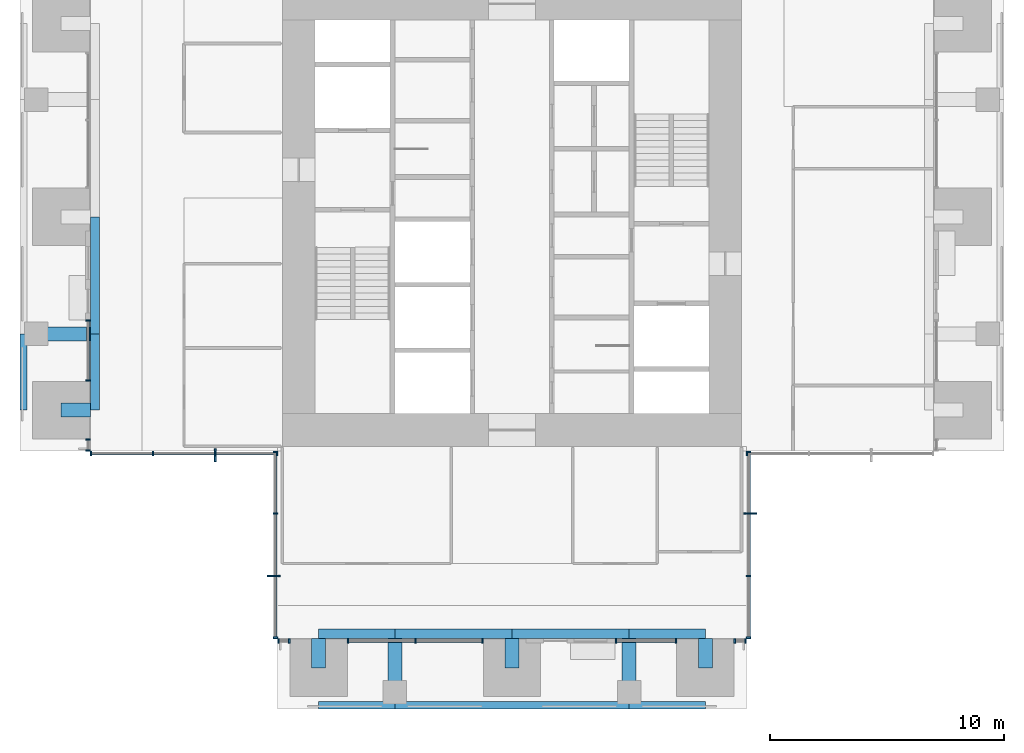
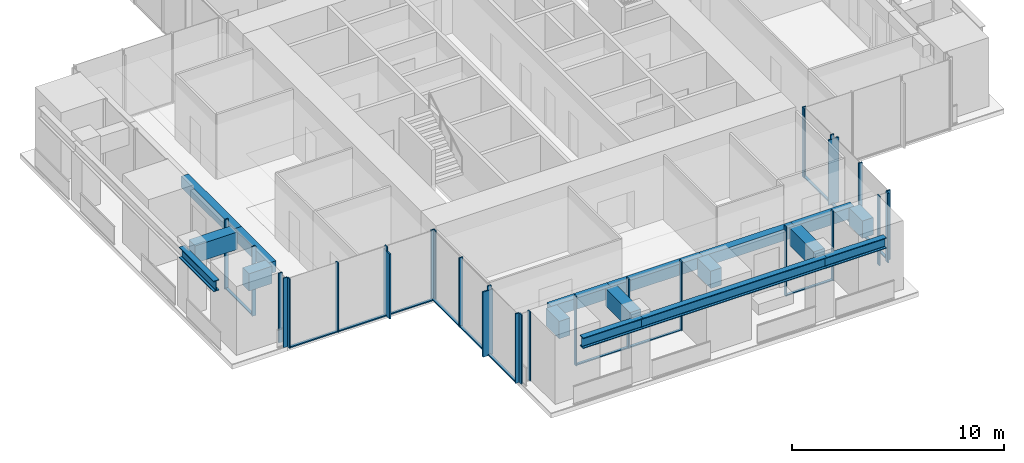
# One storey, part 2 of 17: 42 members, 17 beams, 10 elements without a shape of their own.
"""IFC4 building model written with IfcOpenShell, lengths in metres."""

from ifc_helpers import new_model, si_unit, direction, frame, origin, origin_2d, place, context, subcontext, project, spatial, rectangle, i_section, extrude, material, material_profile, profile_set, type_object, element, aggregate, save


model = new_model("IFC4")

# Units and contexts
model_context = context("Model", 3, precision=1e-05, world=origin(), true_north=direction((0.0, 1.0)))
body_context = subcontext(model_context, "Body", "Model", "MODEL_VIEW")
ifc_project = project(units=[si_unit("LENGTHUNIT", "METRE"), si_unit("AREAUNIT", "SQUARE_METRE"), si_unit("VOLUMEUNIT", "CUBIC_METRE"), si_unit("PLANEANGLEUNIT", "RADIAN"), si_unit("MASSUNIT", "GRAM", prefix="KILO")], contexts=[model_context])

# Site, building, storey
site_placement = place(None, origin())
site = spatial("IfcSite", under=ifc_project, at=site_placement, CompositionType="ELEMENT")
building_placement = place(site_placement, origin())
building = spatial("IfcBuilding", under=site, at=building_placement, Name="Svetlomir Tower", CompositionType="ELEMENT")
storey_placement = place(building_placement, frame((0.0, 0.0, 186.5)))
storey = spatial("IfcBuildingStorey", under=building, at=storey_placement, Name="L44", CompositionType="ELEMENT", Elevation=186.5)

# Curtain wall, member
ifc_material_1 = material(Name="Bronze anodised aluminium curtain wall", Category="aluminium")
curtain_wall_type = type_object("IfcCurtainWallType", Name="CURTAIN WALL CW1 TOWER OFFICE", PredefinedType="NOTDEFINED", material=ifc_material_1)
curtain_wall_1_placement = place(storey_placement, origin())
curtain_wall_1 = element("IfcCurtainWall", 1, at=curtain_wall_1_placement, inside=storey, type_object=curtain_wall_type, Name="Curtain wall CW1 L44", PredefinedType="NOTDEFINED")
ifc_material_2 = material(Name="Bronze anodised aluminium", Category="aluminium")
ifc_material_profile_1 = material_profile(ifc_material_2, rectangle(XDim=0.080078125, YDim=0.550048828125, at=origin_2d()), Name="FIN 80x550")
ifc_profile_set_1 = profile_set([ifc_material_profile_1], Name="Bronze anodised aluminium 6063-T6")
member_type_1 = type_object("IfcMemberType", Name="BRONZE FIN 80x550", PredefinedType="USERDEFINED", material=ifc_profile_set_1)
member_1_placement = place(storey_placement, frame((31.175048828125, 8.333251953125, 0.0), z_axis=(0.0, 0.0, 1.0), x_axis=(0.0, 1.0, 0.0)))
member_1 = element("IfcMember", 2, at=member_1_placement, type_object=member_type_1, Name="Bronze fin L44", ObjectType="FIN", PredefinedType="USERDEFINED", context=body_context, shape_type="SweptSolid", body=[
    extrude(rectangle(XDim=0.080078125, YDim=0.550048828125, at=origin_2d()), origin(), (0.0, 0.0, 1.0), 3.75),
])

curtain_wall_2_placement = place(storey_placement, origin())
curtain_wall_2 = element("IfcCurtainWall", 3, at=curtain_wall_2_placement, inside=storey, type_object=curtain_wall_type, Name="Curtain wall CW1 L44", PredefinedType="NOTDEFINED")
member_2_placement = place(storey_placement, frame((8.333251953125, 10.824951171875, 0.0), z_axis=(0.0, 0.0, 1.0), x_axis=(1.0, 0.0, 0.0)))
member_2 = element("IfcMember", 4, at=member_2_placement, type_object=member_type_1, Name="Bronze fin L44", ObjectType="FIN", PredefinedType="USERDEFINED", context=body_context, shape_type="SweptSolid", body=[
    extrude(rectangle(XDim=0.080078125, YDim=0.550048828125, at=origin_2d()), origin(), (0.0, 0.0, 1.0), 3.75),
])

curtain_wall_3_placement = place(storey_placement, origin())
curtain_wall_3 = element("IfcCurtainWall", 5, at=curtain_wall_3_placement, inside=storey, type_object=curtain_wall_type, Name="Curtain wall CW1 L44", PredefinedType="NOTDEFINED")
member_3_placement = place(storey_placement, frame((10.824951171875, 5.666748046875, 0.0), z_axis=(0.0, 0.0, 1.0), x_axis=(0.0, 1.0, 0.0)))
member_3 = element("IfcMember", 6, at=member_3_placement, type_object=member_type_1, Name="Bronze fin L44", ObjectType="FIN", PredefinedType="USERDEFINED", context=body_context, shape_type="SweptSolid", body=[
    extrude(rectangle(XDim=0.080078125, YDim=0.550048828125, at=origin_2d()), origin(), (0.0, 0.0, 1.0), 3.75),
])

# Curtain wall, members
curtain_wall_4_placement = place(storey_placement, origin())
curtain_wall_4 = element("IfcCurtainWall", 7, at=curtain_wall_4_placement, inside=storey, type_object=curtain_wall_type, Name="Curtain wall CW1 L44", PredefinedType="NOTDEFINED")
ifc_material_3 = material(Name="Bronze anodised aluminium", Category="aluminium")
ifc_material_profile_2 = material_profile(ifc_material_3, rectangle(XDim=0.06494140625, YDim=0.199951171875, at=origin_2d()), Name="AL 65x200")
ifc_profile_set_2 = profile_set([ifc_material_profile_2], Name="Bronze anodised aluminium 6063-T6")
member_type_2 = type_object("IfcMemberType", Name="CW1 MULLION 65x200", PredefinedType="MULLION", material=ifc_profile_set_2)
member_4_placement = place(storey_placement, frame((11.032470703125, 2.89990234375, 0.0), z_axis=(0.0, 0.0, 1.0), x_axis=(1.0, 0.0, 0.0)))
member_4 = element("IfcMember", 8, at=member_4_placement, type_object=member_type_2, Name="CW1 mullion 1", PredefinedType="MULLION", context=body_context, shape_type="SweptSolid", body=[
    extrude(rectangle(XDim=0.06494140625, YDim=0.199951171875, at=origin_2d()), origin(), (0.0, 0.0, 1.0), 4.0),
])
member_5_placement = place(storey_placement, frame((11.492431640625, 2.89990234375, 0.0), z_axis=(0.0, 0.0, 1.0), x_axis=(1.0, 0.0, 0.0)))
member_5 = element("IfcMember", 9, at=member_5_placement, type_object=member_type_2, Name="CW1 mullion 2", PredefinedType="MULLION", context=body_context, shape_type="SweptSolid", body=[
    extrude(rectangle(XDim=0.06494140625, YDim=0.199951171875, at=origin_2d()), origin(), (0.0, 0.0, 1.0), 4.0),
])
aggregate(curtain_wall_4, [member_4, member_5])

curtain_wall_5_placement = place(storey_placement, origin())
curtain_wall_5 = element("IfcCurtainWall", 10, at=curtain_wall_5_placement, inside=storey, type_object=curtain_wall_type, Name="Curtain wall CW1 L44", PredefinedType="NOTDEFINED")
member_6_placement = place(storey_placement, frame((14.007568359375, 2.89990234375, 0.0), z_axis=(0.0, 0.0, 1.0), x_axis=(1.0, 0.0, 0.0)))
member_6 = element("IfcMember", 11, at=member_6_placement, type_object=member_type_2, Name="CW1 mullion 1", PredefinedType="MULLION", context=body_context, shape_type="SweptSolid", body=[
    extrude(rectangle(XDim=0.06494140625, YDim=0.199951171875, at=origin_2d()), origin(), (0.0, 0.0, 1.0), 4.0),
])
member_7_placement = place(storey_placement, frame((16.875, 2.89990234375, 0.0), z_axis=(0.0, 0.0, 1.0), x_axis=(1.0, 0.0, 0.0)))
member_7 = element("IfcMember", 12, at=member_7_placement, type_object=member_type_2, Name="CW1 mullion 2", PredefinedType="MULLION", context=body_context, shape_type="SweptSolid", body=[
    extrude(rectangle(XDim=0.06494140625, YDim=0.199951171875, at=origin_2d()), origin(), (0.0, 0.0, 1.0), 4.0),
])
member_8_placement = place(storey_placement, frame((19.742431640625, 2.89990234375, 0.0), z_axis=(0.0, 0.0, 1.0), x_axis=(1.0, 0.0, 0.0)))
member_8 = element("IfcMember", 13, at=member_8_placement, type_object=member_type_2, Name="CW1 mullion 3", PredefinedType="MULLION", context=body_context, shape_type="SweptSolid", body=[
    extrude(rectangle(XDim=0.06494140625, YDim=0.199951171875, at=origin_2d()), origin(), (0.0, 0.0, 1.0), 4.0),
])

curtain_wall_6_placement = place(storey_placement, origin())
curtain_wall_6 = element("IfcCurtainWall", 14, at=curtain_wall_6_placement, inside=storey, type_object=curtain_wall_type, Name="Curtain wall CW1 L44", PredefinedType="NOTDEFINED")
member_9_placement = place(storey_placement, frame((25.4326171875, 2.89990234375, 0.0), z_axis=(0.0, 0.0, 1.0), x_axis=(1.0, 0.0, 0.0)))
member_9 = element("IfcMember", 15, at=member_9_placement, type_object=member_type_2, Name="CW1 mullion 1", PredefinedType="MULLION", context=body_context, shape_type="SweptSolid", body=[
    extrude(rectangle(XDim=0.06494140625, YDim=0.199951171875, at=origin_2d()), origin(), (0.0, 0.0, 1.0), 4.0),
])
member_10_placement = place(storey_placement, frame((27.992431640625, 2.89990234375, 0.0), z_axis=(0.0, 0.0, 1.0), x_axis=(1.0, 0.0, 0.0)))
member_10 = element("IfcMember", 16, at=member_10_placement, type_object=member_type_2, Name="CW1 mullion 2", PredefinedType="MULLION", context=body_context, shape_type="SweptSolid", body=[
    extrude(rectangle(XDim=0.06494140625, YDim=0.199951171875, at=origin_2d()), origin(), (0.0, 0.0, 1.0), 4.0),
])

curtain_wall_7_placement = place(storey_placement, origin())
curtain_wall_7 = element("IfcCurtainWall", 17, at=curtain_wall_7_placement, inside=storey, type_object=curtain_wall_type, Name="Curtain wall CW1 L44", PredefinedType="NOTDEFINED")
member_11_placement = place(storey_placement, frame((30.507568359375, 2.89990234375, 0.0), z_axis=(0.0, 0.0, 1.0), x_axis=(1.0, 0.0, 0.0)))
member_11 = element("IfcMember", 18, at=member_11_placement, type_object=member_type_2, Name="CW1 mullion 1", PredefinedType="MULLION", context=body_context, shape_type="SweptSolid", body=[
    extrude(rectangle(XDim=0.06494140625, YDim=0.199951171875, at=origin_2d()), origin(), (0.0, 0.0, 1.0), 4.0),
])
member_12_placement = place(storey_placement, frame((30.967529296875, 2.89990234375, 0.0), z_axis=(0.0, 0.0, 1.0), x_axis=(1.0, 0.0, 0.0)))
member_12 = element("IfcMember", 19, at=member_12_placement, type_object=member_type_2, Name="CW1 mullion 2", PredefinedType="MULLION", context=body_context, shape_type="SweptSolid", body=[
    extrude(rectangle(XDim=0.06494140625, YDim=0.199951171875, at=origin_2d()), origin(), (0.0, 0.0, 1.0), 4.0),
])
aggregate(curtain_wall_7, [member_11, member_12])

# Member
member_13_placement = place(storey_placement, frame((31.10009765625, 3.032470703125, 0.0), z_axis=(0.0, 0.0, 1.0), x_axis=(0.0, 1.0, 0.0)))
member_13 = element("IfcMember", 20, at=member_13_placement, type_object=member_type_2, Name="CW1 mullion 1", PredefinedType="MULLION", context=body_context, shape_type="SweptSolid", body=[
    extrude(rectangle(XDim=0.06494140625, YDim=0.199951171875, at=origin_2d()), origin(), (0.0, 0.0, 1.0), 4.0),
])

member_14_placement = place(storey_placement, frame((31.10009765625, 5.666748046875, 0.0), z_axis=(0.0, 0.0, 1.0), x_axis=(0.0, 1.0, 0.0)))
member_14 = element("IfcMember", 21, at=member_14_placement, type_object=member_type_2, Name="CW1 mullion 2", PredefinedType="MULLION", context=body_context, shape_type="SweptSolid", body=[
    extrude(rectangle(XDim=0.06494140625, YDim=0.199951171875, at=origin_2d()), origin(), (0.0, 0.0, 1.0), 4.0),
])

member_15_placement = place(storey_placement, frame((31.10009765625, 8.333251953125, 0.0), z_axis=(0.0, 0.0, 1.0), x_axis=(0.0, 1.0, 0.0)))
member_15 = element("IfcMember", 22, at=member_15_placement, type_object=member_type_2, Name="CW1 mullion 3", PredefinedType="MULLION", context=body_context, shape_type="SweptSolid", body=[
    extrude(rectangle(XDim=0.06494140625, YDim=0.199951171875, at=origin_2d()), origin(), (0.0, 0.0, 1.0), 4.0),
])

member_16_placement = place(storey_placement, frame((31.10009765625, 10.967529296875, 0.0), z_axis=(0.0, 0.0, 1.0), x_axis=(0.0, 1.0, 0.0)))
member_16 = element("IfcMember", 23, at=member_16_placement, type_object=member_type_2, Name="CW1 mullion 4", PredefinedType="MULLION", context=body_context, shape_type="SweptSolid", body=[
    extrude(rectangle(XDim=0.06494140625, YDim=0.199951171875, at=origin_2d()), origin(), (0.0, 0.0, 1.0), 4.0),
])

# Curtain wall, member
curtain_wall_8_placement = place(storey_placement, origin())
curtain_wall_8 = element("IfcCurtainWall", 24, at=curtain_wall_8_placement, inside=storey, type_object=curtain_wall_type, Name="Curtain wall CW1 L44", PredefinedType="NOTDEFINED")
member_17_placement = place(storey_placement, frame((31.032470703125, 10.89990234375, 0.0), z_axis=(0.0, 0.0, 1.0), x_axis=(1.0, 0.0, 0.0)))
member_17 = element("IfcMember", 25, at=member_17_placement, type_object=member_type_2, Name="CW1 mullion 1", PredefinedType="MULLION", context=body_context, shape_type="SweptSolid", body=[
    extrude(rectangle(XDim=0.06494140625, YDim=0.199951171875, at=origin_2d()), origin(), (0.0, 0.0, 1.0), 4.0),
])
aggregate(curtain_wall_8, [member_17])

# Curtain wall, members
curtain_wall_9_placement = place(storey_placement, origin())
curtain_wall_9 = element("IfcCurtainWall", 26, at=curtain_wall_9_placement, inside=storey, type_object=curtain_wall_type, Name="Curtain wall CW1 L44", PredefinedType="NOTDEFINED")
member_18_placement = place(storey_placement, frame((2.89990234375, 16.5673828125, 0.0), z_axis=(0.0, 0.0, 1.0), x_axis=(0.0, -1.0, 0.0)))
member_18 = element("IfcMember", 27, at=member_18_placement, type_object=member_type_2, Name="CW1 mullion 1", PredefinedType="MULLION", context=body_context, shape_type="SweptSolid", body=[
    extrude(rectangle(XDim=0.06494140625, YDim=0.199951171875, at=origin_2d()), origin(), (0.0, 0.0, 1.0), 4.0),
])
member_19_placement = place(storey_placement, frame((2.89990234375, 14.007568359375, 0.0), z_axis=(0.0, 0.0, 1.0), x_axis=(0.0, -1.0, 0.0)))
member_19 = element("IfcMember", 28, at=member_19_placement, type_object=member_type_2, Name="CW1 mullion 2", PredefinedType="MULLION", context=body_context, shape_type="SweptSolid", body=[
    extrude(rectangle(XDim=0.06494140625, YDim=0.199951171875, at=origin_2d()), origin(), (0.0, 0.0, 1.0), 4.0),
])

curtain_wall_10_placement = place(storey_placement, origin())
curtain_wall_10 = element("IfcCurtainWall", 29, at=curtain_wall_10_placement, inside=storey, type_object=curtain_wall_type, Name="Curtain wall CW1 L44", PredefinedType="NOTDEFINED")
member_20_placement = place(storey_placement, frame((2.89990234375, 11.492431640625, 0.0), z_axis=(0.0, 0.0, 1.0), x_axis=(0.0, -1.0, 0.0)))
member_20 = element("IfcMember", 30, at=member_20_placement, type_object=member_type_2, Name="CW1 mullion 1", PredefinedType="MULLION", context=body_context, shape_type="SweptSolid", body=[
    extrude(rectangle(XDim=0.06494140625, YDim=0.199951171875, at=origin_2d()), origin(), (0.0, 0.0, 1.0), 4.0),
])
member_21_placement = place(storey_placement, frame((2.89990234375, 11.032470703125, 0.0), z_axis=(0.0, 0.0, 1.0), x_axis=(0.0, -1.0, 0.0)))
member_21 = element("IfcMember", 31, at=member_21_placement, type_object=member_type_2, Name="CW1 mullion 2", PredefinedType="MULLION", context=body_context, shape_type="SweptSolid", body=[
    extrude(rectangle(XDim=0.06494140625, YDim=0.199951171875, at=origin_2d()), origin(), (0.0, 0.0, 1.0), 4.0),
])
aggregate(curtain_wall_10, [member_20, member_21])

# Member
member_22_placement = place(storey_placement, frame((3.032470703125, 10.89990234375, 0.0), z_axis=(0.0, 0.0, 1.0), x_axis=(1.0, 0.0, 0.0)))
member_22 = element("IfcMember", 32, at=member_22_placement, type_object=member_type_2, Name="CW1 mullion 1", PredefinedType="MULLION", context=body_context, shape_type="SweptSolid", body=[
    extrude(rectangle(XDim=0.06494140625, YDim=0.199951171875, at=origin_2d()), origin(), (0.0, 0.0, 1.0), 4.0),
])

member_23_placement = place(storey_placement, frame((5.666748046875, 10.89990234375, 0.0), z_axis=(0.0, 0.0, 1.0), x_axis=(1.0, 0.0, 0.0)))
member_23 = element("IfcMember", 33, at=member_23_placement, type_object=member_type_2, Name="CW1 mullion 2", PredefinedType="MULLION", context=body_context, shape_type="SweptSolid", body=[
    extrude(rectangle(XDim=0.06494140625, YDim=0.199951171875, at=origin_2d()), origin(), (0.0, 0.0, 1.0), 4.0),
])

member_24_placement = place(storey_placement, frame((8.333251953125, 10.89990234375, 0.0), z_axis=(0.0, 0.0, 1.0), x_axis=(1.0, 0.0, 0.0)))
member_24 = element("IfcMember", 34, at=member_24_placement, type_object=member_type_2, Name="CW1 mullion 3", PredefinedType="MULLION", context=body_context, shape_type="SweptSolid", body=[
    extrude(rectangle(XDim=0.06494140625, YDim=0.199951171875, at=origin_2d()), origin(), (0.0, 0.0, 1.0), 4.0),
])

member_25_placement = place(storey_placement, frame((10.967529296875, 10.89990234375, 0.0), z_axis=(0.0, 0.0, 1.0), x_axis=(1.0, 0.0, 0.0)))
member_25 = element("IfcMember", 35, at=member_25_placement, type_object=member_type_2, Name="CW1 mullion 4", PredefinedType="MULLION", context=body_context, shape_type="SweptSolid", body=[
    extrude(rectangle(XDim=0.06494140625, YDim=0.199951171875, at=origin_2d()), origin(), (0.0, 0.0, 1.0), 4.0),
])

member_26_placement = place(storey_placement, frame((10.89990234375, 10.967529296875, 0.0), z_axis=(0.0, 0.0, 1.0), x_axis=(0.0, -1.0, 0.0)))
member_26 = element("IfcMember", 36, at=member_26_placement, type_object=member_type_2, Name="CW1 mullion 1", PredefinedType="MULLION", context=body_context, shape_type="SweptSolid", body=[
    extrude(rectangle(XDim=0.06494140625, YDim=0.199951171875, at=origin_2d()), origin(), (0.0, 0.0, 1.0), 4.0),
])

member_27_placement = place(storey_placement, frame((10.89990234375, 8.333251953125, 0.0), z_axis=(0.0, 0.0, 1.0), x_axis=(0.0, -1.0, 0.0)))
member_27 = element("IfcMember", 37, at=member_27_placement, type_object=member_type_2, Name="CW1 mullion 2", PredefinedType="MULLION", context=body_context, shape_type="SweptSolid", body=[
    extrude(rectangle(XDim=0.06494140625, YDim=0.199951171875, at=origin_2d()), origin(), (0.0, 0.0, 1.0), 4.0),
])

member_28_placement = place(storey_placement, frame((10.89990234375, 5.666748046875, 0.0), z_axis=(0.0, 0.0, 1.0), x_axis=(0.0, -1.0, 0.0)))
member_28 = element("IfcMember", 38, at=member_28_placement, type_object=member_type_2, Name="CW1 mullion 3", PredefinedType="MULLION", context=body_context, shape_type="SweptSolid", body=[
    extrude(rectangle(XDim=0.06494140625, YDim=0.199951171875, at=origin_2d()), origin(), (0.0, 0.0, 1.0), 4.0),
])

member_29_placement = place(storey_placement, frame((10.89990234375, 3.032470703125, 0.0), z_axis=(0.0, 0.0, 1.0), x_axis=(0.0, -1.0, 0.0)))
member_29 = element("IfcMember", 39, at=member_29_placement, type_object=member_type_2, Name="CW1 mullion 4", PredefinedType="MULLION", context=body_context, shape_type="SweptSolid", body=[
    extrude(rectangle(XDim=0.06494140625, YDim=0.199951171875, at=origin_2d()), origin(), (0.0, 0.0, 1.0), 4.0),
])

ifc_material_4 = material(Name="Bronze anodised aluminium", Category="aluminium")
ifc_material_profile_3 = material_profile(ifc_material_4, rectangle(XDim=0.139892578125, YDim=0.06494140625, at=origin_2d()), Name="AL 140x65")
ifc_profile_set_3 = profile_set([ifc_material_profile_3], Name="Bronze anodised aluminium 6063-T6")
member_type_3 = type_object("IfcMemberType", Name="CW1 TRANSOM 65x140", PredefinedType="USERDEFINED", material=ifc_profile_set_3)
member_30_placement = place(storey_placement, frame((14.0400390625, 2.89990234375, 0.032470703125), z_axis=(1.0, 0.0, 0.0), x_axis=(0.0, 1.0, 0.0)))
member_30 = element("IfcMember", 40, at=member_30_placement, type_object=member_type_3, Name="CW1 transom 1.1", ObjectType="TRANSOM", PredefinedType="USERDEFINED", context=body_context, shape_type="SweptSolid", body=[
    extrude(rectangle(XDim=0.139892578125, YDim=0.06494140625, at=origin_2d()), origin(), (0.0, 0.0, 1.0), 2.802490234375),
])

member_31_placement = place(storey_placement, frame((16.907470703125, 2.89990234375, 0.032470703125), z_axis=(1.0, 0.0, 0.0), x_axis=(0.0, 1.0, 0.0)))
member_31 = element("IfcMember", 41, at=member_31_placement, type_object=member_type_3, Name="CW1 transom 2.1", ObjectType="TRANSOM", PredefinedType="USERDEFINED", context=body_context, shape_type="SweptSolid", body=[
    extrude(rectangle(XDim=0.139892578125, YDim=0.06494140625, at=origin_2d()), origin(), (0.0, 0.0, 1.0), 2.802490234375),
])

aggregate(curtain_wall_5, [member_6, member_7, member_8, member_30, member_31])

member_32_placement = place(storey_placement, frame((25.465087890625, 2.89990234375, 0.032470703125), z_axis=(1.0, 0.0, 0.0), x_axis=(0.0, 1.0, 0.0)))
member_32 = element("IfcMember", 42, at=member_32_placement, type_object=member_type_3, Name="CW1 transom 1.1", ObjectType="TRANSOM", PredefinedType="USERDEFINED", context=body_context, shape_type="SweptSolid", body=[
    extrude(rectangle(XDim=0.139892578125, YDim=0.06494140625, at=origin_2d()), origin(), (0.0, 0.0, 1.0), 2.494873046875),
])

aggregate(curtain_wall_6, [member_9, member_10, member_32])

member_33_placement = place(storey_placement, frame((31.10009765625, 3.06494140625, 0.032470703125), z_axis=(0.0, 1.0, 0.0), x_axis=(-1.0, 0.0, 0.0)))
member_33 = element("IfcMember", 43, at=member_33_placement, type_object=member_type_3, Name="CW1 transom 1.1", ObjectType="TRANSOM", PredefinedType="USERDEFINED", context=body_context, shape_type="SweptSolid", body=[
    extrude(rectangle(XDim=0.139892578125, YDim=0.06494140625, at=origin_2d()), origin(), (0.0, 0.0, 1.0), 2.5693359375),
])

member_34_placement = place(storey_placement, frame((31.10009765625, 5.69921875, 0.032470703125), z_axis=(0.0, 1.0, 0.0), x_axis=(-1.0, 0.0, 0.0)))
member_34 = element("IfcMember", 44, at=member_34_placement, type_object=member_type_3, Name="CW1 transom 2.1", ObjectType="TRANSOM", PredefinedType="USERDEFINED", context=body_context, shape_type="SweptSolid", body=[
    extrude(rectangle(XDim=0.139892578125, YDim=0.06494140625, at=origin_2d()), origin(), (0.0, 0.0, 1.0), 2.6015625),
])

member_35_placement = place(storey_placement, frame((31.10009765625, 8.36572265625, 0.032470703125), z_axis=(0.0, 1.0, 0.0), x_axis=(-1.0, 0.0, 0.0)))
member_35 = element("IfcMember", 45, at=member_35_placement, type_object=member_type_3, Name="CW1 transom 3.1", ObjectType="TRANSOM", PredefinedType="USERDEFINED", context=body_context, shape_type="SweptSolid", body=[
    extrude(rectangle(XDim=0.139892578125, YDim=0.06494140625, at=origin_2d()), origin(), (0.0, 0.0, 1.0), 2.5693359375),
])

aggregate(curtain_wall_1, [member_13, member_14, member_15, member_16, member_33, member_34, member_35, member_1])

member_36_placement = place(storey_placement, frame((2.89990234375, 16.534912109375, 0.032470703125), z_axis=(0.0, -1.0, 0.0), x_axis=(1.0, 0.0, 0.0)))
member_36 = element("IfcMember", 46, at=member_36_placement, type_object=member_type_3, Name="CW1 transom 1.1", ObjectType="TRANSOM", PredefinedType="USERDEFINED", context=body_context, shape_type="SweptSolid", body=[
    extrude(rectangle(XDim=0.139892578125, YDim=0.06494140625, at=origin_2d()), origin(), (0.0, 0.0, 1.0), 2.494873046875),
])

aggregate(curtain_wall_9, [member_18, member_19, member_36])

member_37_placement = place(storey_placement, frame((3.06494140625, 10.89990234375, 0.032470703125), z_axis=(1.0, 0.0, 0.0), x_axis=(0.0, 1.0, 0.0)))
member_37 = element("IfcMember", 47, at=member_37_placement, type_object=member_type_3, Name="CW1 transom 1.1", ObjectType="TRANSOM", PredefinedType="USERDEFINED", context=body_context, shape_type="SweptSolid", body=[
    extrude(rectangle(XDim=0.139892578125, YDim=0.06494140625, at=origin_2d()), origin(), (0.0, 0.0, 1.0), 2.5693359375),
])

member_38_placement = place(storey_placement, frame((5.69921875, 10.89990234375, 0.032470703125), z_axis=(1.0, 0.0, 0.0), x_axis=(0.0, 1.0, 0.0)))
member_38 = element("IfcMember", 48, at=member_38_placement, type_object=member_type_3, Name="CW1 transom 2.1", ObjectType="TRANSOM", PredefinedType="USERDEFINED", context=body_context, shape_type="SweptSolid", body=[
    extrude(rectangle(XDim=0.139892578125, YDim=0.06494140625, at=origin_2d()), origin(), (0.0, 0.0, 1.0), 2.6015625),
])

member_39_placement = place(storey_placement, frame((8.36572265625, 10.89990234375, 0.032470703125), z_axis=(1.0, 0.0, 0.0), x_axis=(0.0, 1.0, 0.0)))
member_39 = element("IfcMember", 49, at=member_39_placement, type_object=member_type_3, Name="CW1 transom 3.1", ObjectType="TRANSOM", PredefinedType="USERDEFINED", context=body_context, shape_type="SweptSolid", body=[
    extrude(rectangle(XDim=0.139892578125, YDim=0.06494140625, at=origin_2d()), origin(), (0.0, 0.0, 1.0), 2.5693359375),
])

aggregate(curtain_wall_2, [member_22, member_23, member_24, member_25, member_37, member_38, member_39, member_2])

member_40_placement = place(storey_placement, frame((10.89990234375, 10.93505859375, 0.032470703125), z_axis=(0.0, -1.0, 0.0), x_axis=(1.0, 0.0, 0.0)))
member_40 = element("IfcMember", 50, at=member_40_placement, type_object=member_type_3, Name="CW1 transom 1.1", ObjectType="TRANSOM", PredefinedType="USERDEFINED", context=body_context, shape_type="SweptSolid", body=[
    extrude(rectangle(XDim=0.139892578125, YDim=0.06494140625, at=origin_2d()), origin(), (0.0, 0.0, 1.0), 2.5693359375),
])

member_41_placement = place(storey_placement, frame((10.89990234375, 8.30078125, 0.032470703125), z_axis=(0.0, -1.0, 0.0), x_axis=(1.0, 0.0, 0.0)))
member_41 = element("IfcMember", 51, at=member_41_placement, type_object=member_type_3, Name="CW1 transom 2.1", ObjectType="TRANSOM", PredefinedType="USERDEFINED", context=body_context, shape_type="SweptSolid", body=[
    extrude(rectangle(XDim=0.139892578125, YDim=0.06494140625, at=origin_2d()), origin(), (0.0, 0.0, 1.0), 2.6015625),
])

member_42_placement = place(storey_placement, frame((10.89990234375, 5.63427734375, 0.032470703125), z_axis=(0.0, -1.0, 0.0), x_axis=(1.0, 0.0, 0.0)))
member_42 = element("IfcMember", 52, at=member_42_placement, type_object=member_type_3, Name="CW1 transom 3.1", ObjectType="TRANSOM", PredefinedType="USERDEFINED", context=body_context, shape_type="SweptSolid", body=[
    extrude(rectangle(XDim=0.139892578125, YDim=0.06494140625, at=origin_2d()), origin(), (0.0, 0.0, 1.0), 2.5693359375),
])

aggregate(curtain_wall_3, [member_26, member_27, member_28, member_29, member_40, member_41, member_42, member_3])

# Beams
ifc_material_5 = material(Name="Steel S355", Category="steel")
ifc_material_profile_4 = material_profile(ifc_material_5, i_section(OverallWidth=0.304931640625, OverallDepth=0.6201171875, WebThickness=0.02099609375, FlangeThickness=0.0400390625, FilletRadius=0.027099609375, at=origin_2d()), Name="HEM 600")
ifc_profile_set_4 = profile_set([ifc_material_profile_4], Name="Steel S355")
beam_type_1 = type_object("IfcBeamType", Name="EDGE BEAM HEM 600", PredefinedType="SPANDREL", material=ifc_profile_set_4)
for number, where, z_axis, x_axis, name in (
    (53, (12.75, 0.152587890625, 3.43994140625), (1.0, 0.0, 0.0), (0.0, 1.0, 0.0), "Edge beam 11/0 to 16/0 under L45"),
    (54, (0.152587890625, 12.75, 3.43994140625), (0.0, 1.0, 0.0), (-1.0, 0.0, 0.0), "Edge beam 0/11 to 0/16 under L45"),
):
    element("IfcBeam", number, at=place(storey_placement, frame(where, z_axis=z_axis, x_axis=x_axis)), inside=storey, type_object=beam_type_1, Name=name, PredefinedType="SPANDREL", context=body_context, shape_type="SweptSolid", body=[
        extrude(i_section(OverallWidth=0.304931640625, OverallDepth=0.6201171875, WebThickness=0.02099609375, FlangeThickness=0.0400390625, FilletRadius=0.027099609375, at=origin_2d()), origin(), (0.0, 0.0, 1.0), 3.25),
    ])
beam_1_placement = place(storey_placement, frame((16.0, 0.152587890625, 3.43994140625), z_axis=(1.0, 0.0, 0.0), x_axis=(0.0, 1.0, 0.0)))
element("IfcBeam", 55, at=beam_1_placement, inside=storey, type_object=beam_type_1, Name="Edge beam 16/0 to 26/0 under L45", PredefinedType="SPANDREL", context=body_context, shape_type="SweptSolid", body=[
    extrude(i_section(OverallWidth=0.304931640625, OverallDepth=0.6201171875, WebThickness=0.02099609375, FlangeThickness=0.0400390625, FilletRadius=0.027099609375, at=origin_2d()), origin(), (0.0, 0.0, 1.0), 10.0),
])
beam_2_placement = place(storey_placement, frame((26.0, 0.152587890625, 3.43994140625), z_axis=(1.0, 0.0, 0.0), x_axis=(0.0, 1.0, 0.0)))
element("IfcBeam", 56, at=beam_2_placement, inside=storey, type_object=beam_type_1, Name="Edge beam 26/0 to 31/0 under L45", PredefinedType="SPANDREL", context=body_context, shape_type="SweptSolid", body=[
    extrude(i_section(OverallWidth=0.304931640625, OverallDepth=0.6201171875, WebThickness=0.02099609375, FlangeThickness=0.0400390625, FilletRadius=0.027099609375, at=origin_2d()), origin(), (0.0, 0.0, 1.0), 3.25),
])
ifc_material_6 = material(Name="Concrete C60/75", Category="concrete")
ifc_material_profile_5 = material_profile(ifc_material_6, rectangle(XDim=0.39990234375, YDim=0.64990234375, at=origin_2d()), Name="RC 400x650")
ifc_profile_set_5 = profile_set([ifc_material_profile_5], Name="Concrete C60/75")
beam_type_2 = type_object("IfcBeamType", Name="FACADE EDGE BEAM RC 400x650", PredefinedType="BEAM", material=ifc_profile_set_5)
beam_3_placement = place(storey_placement, frame((12.75, 3.199951171875, 3.425048828125), z_axis=(1.0, 0.0, 0.0), x_axis=(0.0, 1.0, 0.0)))
element("IfcBeam", 57, at=beam_3_placement, inside=storey, type_object=beam_type_2, Name="Facade edge beam S 11 to 16 under L45", PredefinedType="BEAM", context=body_context, shape_type="SweptSolid", body=[
    extrude(rectangle(XDim=0.39990234375, YDim=0.64990234375, at=origin_2d()), origin(), (0.0, 0.0, 1.0), 3.25),
])
for number, where, z_axis, x_axis, name in (
    (58, (16.0, 3.199951171875, 3.425048828125), (1.0, 0.0, 0.0), (0.0, 1.0, 0.0), "Facade edge beam S 16 to 21 under L45"),
    (59, (21.0, 3.199951171875, 3.425048828125), (1.0, 0.0, 0.0), (0.0, 1.0, 0.0), "Facade edge beam S 21 to 26 under L45"),
):
    element("IfcBeam", number, at=place(storey_placement, frame(where, z_axis=z_axis, x_axis=x_axis)), inside=storey, type_object=beam_type_2, Name=name, PredefinedType="BEAM", context=body_context, shape_type="SweptSolid", body=[
        extrude(rectangle(XDim=0.39990234375, YDim=0.64990234375, at=origin_2d()), origin(), (0.0, 0.0, 1.0), 5.0),
    ])
for number, where, z_axis, x_axis, name in (
    (60, (26.0, 3.199951171875, 3.425048828125), (1.0, 0.0, 0.0), (0.0, 1.0, 0.0), "Facade edge beam S 26 to 31 under L45"),
    (61, (3.199951171875, 12.75, 3.425048828125), (0.0, 1.0, 0.0), (-1.0, 0.0, 0.0), "Facade edge beam W 11 to 16 under L45"),
):
    element("IfcBeam", number, at=place(storey_placement, frame(where, z_axis=z_axis, x_axis=x_axis)), inside=storey, type_object=beam_type_2, Name=name, PredefinedType="BEAM", context=body_context, shape_type="SweptSolid", body=[
        extrude(rectangle(XDim=0.39990234375, YDim=0.64990234375, at=origin_2d()), origin(), (0.0, 0.0, 1.0), 3.25),
    ])
beam_4_placement = place(storey_placement, frame((3.199951171875, 16.0, 3.425048828125), z_axis=(0.0, 1.0, 0.0), x_axis=(-1.0, 0.0, 0.0)))
element("IfcBeam", 62, at=beam_4_placement, inside=storey, type_object=beam_type_2, Name="Facade edge beam W 16 to 21 under L45", PredefinedType="BEAM", context=body_context, shape_type="SweptSolid", body=[
    extrude(rectangle(XDim=0.39990234375, YDim=0.64990234375, at=origin_2d()), origin(), (0.0, 0.0, 1.0), 5.0),
])
ifc_material_7 = material(Name="Concrete C60/75", Category="concrete")
ifc_material_profile_6 = material_profile(ifc_material_7, rectangle(XDim=0.60009765625, YDim=1.0, at=origin_2d()), Name="RC 600x1000")
ifc_profile_set_6 = profile_set([ifc_material_profile_6], Name="Concrete C60/75")
beam_type_3 = type_object("IfcBeamType", Name="LOGGIA LINK BEAM RC 600x1000", PredefinedType="BEAM", material=ifc_profile_set_6)
beam_5_placement = place(storey_placement, frame((12.75, 1.75, 3.25), z_axis=(0.0, 1.0, 0.0), x_axis=(-1.0, 0.0, 0.0)))
element("IfcBeam", 63, at=beam_5_placement, inside=storey, type_object=beam_type_3, Name="Loggia link beam S 11 under L45", PredefinedType="BEAM", context=body_context, shape_type="SweptSolid", body=[
    extrude(rectangle(XDim=0.60009765625, YDim=1.0, at=origin_2d()), origin(), (0.0, 0.0, 1.0), 1.25),
])
beam_6_placement = place(storey_placement, frame((16.0, 0.699951171875, 3.25), z_axis=(0.0, 1.0, 0.0), x_axis=(-1.0, 0.0, 0.0)))
element("IfcBeam", 64, at=beam_6_placement, inside=storey, type_object=beam_type_3, Name="Loggia link beam S 16 under L45", PredefinedType="BEAM", context=body_context, shape_type="SweptSolid", body=[
    extrude(rectangle(XDim=0.60009765625, YDim=1.0, at=origin_2d()), origin(), (0.0, 0.0, 1.0), 2.300048828125),
])
beam_7_placement = place(storey_placement, frame((21.0, 1.75, 3.25), z_axis=(0.0, 1.0, 0.0), x_axis=(-1.0, 0.0, 0.0)))
element("IfcBeam", 65, at=beam_7_placement, inside=storey, type_object=beam_type_3, Name="Loggia link beam S 21 under L45", PredefinedType="BEAM", context=body_context, shape_type="SweptSolid", body=[
    extrude(rectangle(XDim=0.60009765625, YDim=1.0, at=origin_2d()), origin(), (0.0, 0.0, 1.0), 1.25),
])
beam_8_placement = place(storey_placement, frame((26.0, 0.699951171875, 3.25), z_axis=(0.0, 1.0, 0.0), x_axis=(-1.0, 0.0, 0.0)))
element("IfcBeam", 66, at=beam_8_placement, inside=storey, type_object=beam_type_3, Name="Loggia link beam S 26 under L45", PredefinedType="BEAM", context=body_context, shape_type="SweptSolid", body=[
    extrude(rectangle(XDim=0.60009765625, YDim=1.0, at=origin_2d()), origin(), (0.0, 0.0, 1.0), 2.300048828125),
])
for number, where, z_axis, x_axis, name in (
    (67, (29.25, 1.75, 3.25), (0.0, 1.0, 0.0), (-1.0, 0.0, 0.0), "Loggia link beam S 31 under L45"),
    (68, (1.75, 12.75, 3.25), (1.0, 0.0, 0.0), (0.0, 1.0, 0.0), "Loggia link beam W 11 under L45"),
):
    element("IfcBeam", number, at=place(storey_placement, frame(where, z_axis=z_axis, x_axis=x_axis)), inside=storey, type_object=beam_type_3, Name=name, PredefinedType="BEAM", context=body_context, shape_type="SweptSolid", body=[
        extrude(rectangle(XDim=0.60009765625, YDim=1.0, at=origin_2d()), origin(), (0.0, 0.0, 1.0), 1.25),
    ])
beam_9_placement = place(storey_placement, frame((0.699951171875, 16.0, 3.25), z_axis=(1.0, 0.0, 0.0), x_axis=(0.0, 1.0, 0.0)))
element("IfcBeam", 69, at=beam_9_placement, inside=storey, type_object=beam_type_3, Name="Loggia link beam W 16 under L45", PredefinedType="BEAM", context=body_context, shape_type="SweptSolid", body=[
    extrude(rectangle(XDim=0.60009765625, YDim=1.0, at=origin_2d()), origin(), (0.0, 0.0, 1.0), 2.300048828125),
])

save(model, "model.ifc")
